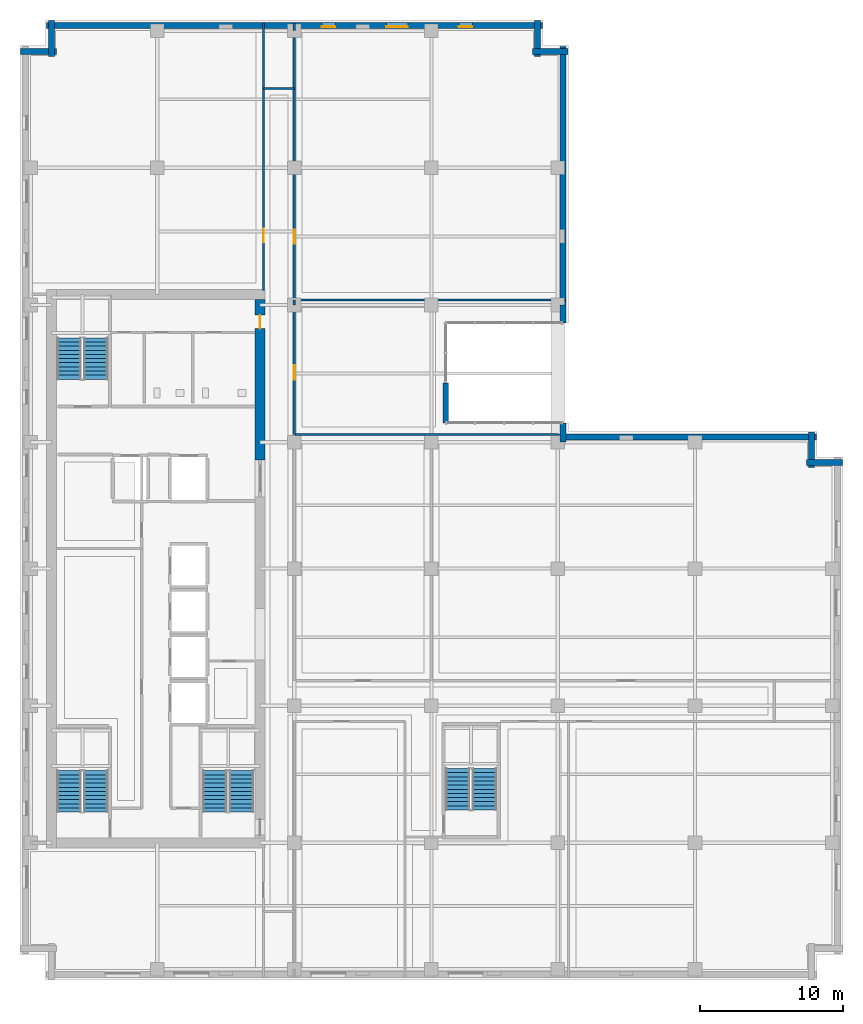
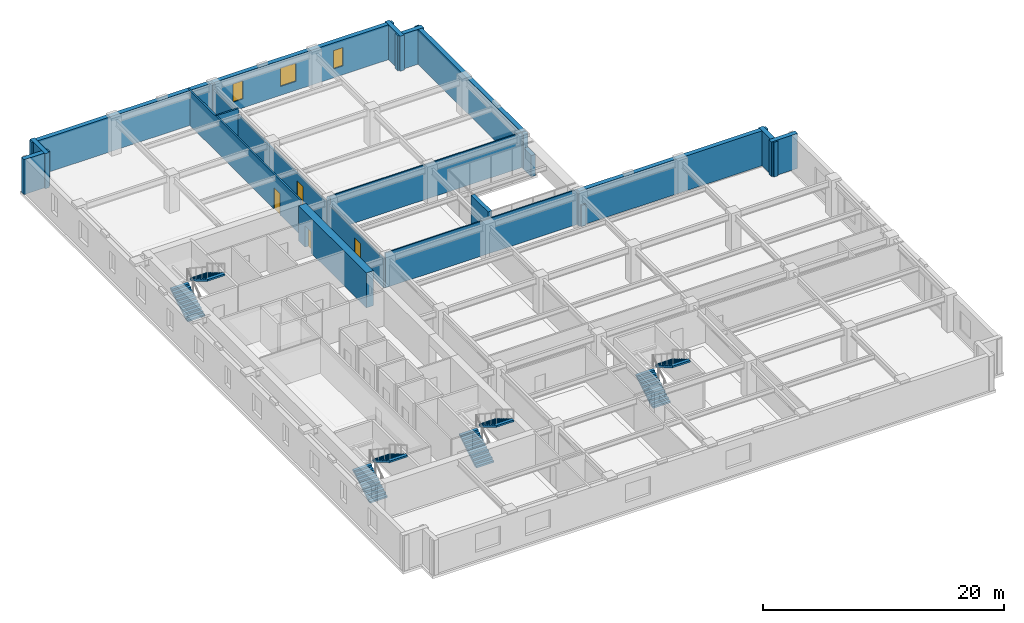
# One storey, part 7 of 13: 21 walls, 8 stair flights, 4 doors, 3 windows, 7 openings, 4 elements without a shape of their own.
"""IFC4 building model written with IfcOpenShell, lengths in metres."""

from ifc_helpers import new_model, si_unit, direction, frame, frame_2d, origin, place, context, subcontext, project, spatial, polyline, rectangle, outline, extrude, material, layer, layer_set, type_object, element, fill, aggregate, save


model = new_model("IFC4")

# Units and contexts
model_context = context("Model", 3, precision=1e-05, world=origin(), true_north=direction((0.0, 1.0)))
body_context = subcontext(model_context, "Body", "Model", "MODEL_VIEW")
ifc_project = project(units=[si_unit("LENGTHUNIT", "METRE"), si_unit("AREAUNIT", "SQUARE_METRE"), si_unit("VOLUMEUNIT", "CUBIC_METRE"), si_unit("PLANEANGLEUNIT", "RADIAN"), si_unit("MASSUNIT", "GRAM", prefix="KILO")], contexts=[model_context])

# Site, building, storey
site_placement = place(None, origin())
site = spatial("IfcSite", under=ifc_project, at=site_placement, CompositionType="ELEMENT")
building_placement = place(site_placement, origin())
building = spatial("IfcBuilding", under=site, at=building_placement, Name="Norrvale University Quadrangle", CompositionType="ELEMENT")
storey_placement = place(building_placement, frame((0.0, 0.0, 171.199951171875)))
storey = spatial("IfcBuildingStorey", under=building, at=storey_placement, Name="L43", CompositionType="ELEMENT", Elevation=171.199951171875)

# Walls
ifc_material_1 = material(Name="Buff Norman Clay Brick Masonry", Category="masonry")
ifc_layer_1 = layer(ifc_material_1, 0.419921875, Name="Buff Norman Clay Brick Masonry")
ifc_layer_set_1 = layer_set([ifc_layer_1], Name="Buff Norman Clay Brick Masonry")
wall_type_1 = type_object("IfcWallType", Name="Wall Buff Brick 420", PredefinedType="SOLIDWALL", material=ifc_layer_set_1)
for number, where, z_axis, x_axis, name in (
    (1, (57.56005859375, 36.2099609375, 0.0), (0.0, 0.0, 1.0), (-1.0, 0.0, 0.0), "Exterior Brick Facade Wall L43-05.1"),
    (2, (55.409912109375, 35.860107421875, 0.0), (0.0, 0.0, 1.0), (0.0, 1.0, 0.0), "Exterior Brick Facade Wall L43-06.1"),
):
    element("IfcWall", number, at=place(storey_placement, frame(where, z_axis=z_axis, x_axis=x_axis)), inside=storey, type_object=wall_type_1, Name=name, PredefinedType="SOLIDWALL", context=body_context, shape_type="SweptSolid", body=[
        extrude(rectangle(XDim=2.5, YDim=0.419921875, at=frame_2d((1.25, 0.0))), origin(), (0.0, 0.0, 1.0), 3.5400390625),
    ])
wall_1_placement = place(storey_placement, frame((55.760009765625, 38.010009765625, 0.0), z_axis=(0.0, 0.0, 1.0), x_axis=(-1.0, 0.0, 0.0)))
element("IfcWall", 3, at=wall_1_placement, inside=storey, type_object=wall_type_1, Name="Exterior Brick Facade Wall L43-07.1", PredefinedType="SOLIDWALL", context=body_context, shape_type="SweptSolid", body=[
    extrude(rectangle(XDim=18.10009765625, YDim=0.419921875, at=frame_2d((9.050048828125, 0.0))), origin(), (0.0, 0.0, 1.0), 3.5400390625),
])
wall_2_placement = place(storey_placement, frame((38.010009765625, 37.659912109375, 0.0), z_axis=(0.0, 0.0, 1.0), x_axis=(0.0, 1.0, 0.0)))
element("IfcWall", 4, at=wall_2_placement, inside=storey, type_object=wall_type_1, Name="Exterior Brick Facade Wall L43-08.1", PredefinedType="SOLIDWALL", context=body_context, shape_type="SweptSolid", body=[
    extrude(rectangle(XDim=1.340087890625, YDim=0.419921875, at=frame_2d((0.669921875, 0.0))), origin(), (0.0, 0.0, 1.0), 2.14013671875),
])
wall_3_placement = place(storey_placement, frame((38.010009765625, 46.0, 0.0), z_axis=(0.0, 0.0, 1.0), x_axis=(0.0, 1.0, 0.0)))
element("IfcWall", 5, at=wall_3_placement, inside=storey, type_object=wall_type_1, Name="Exterior Brick Facade Wall L43-08.2", PredefinedType="SOLIDWALL", context=body_context, shape_type="SweptSolid", body=[
    extrude(rectangle(XDim=1.25, YDim=0.419921875, at=frame_2d((0.625, 0.0))), origin(), (0.0, 0.0, 1.0), 2.14013671875),
])
for number, where, z_axis, x_axis, name in (
    (6, (38.360107421875, 65.010009765625, 0.0), (0.0, 0.0, 1.0), (-1.0, 0.0, 0.0), "Exterior Brick Facade Wall L43-09.1"),
    (7, (36.2099609375, 64.659912109375, 0.0), (0.0, 0.0, 1.0), (0.0, 1.0, 0.0), "Exterior Brick Facade Wall L43-10.1"),
):
    element("IfcWall", number, at=place(storey_placement, frame(where, z_axis=z_axis, x_axis=x_axis)), inside=storey, type_object=wall_type_1, Name=name, PredefinedType="SOLIDWALL", context=body_context, shape_type="SweptSolid", body=[
        extrude(rectangle(XDim=2.5, YDim=0.419921875, at=frame_2d((1.25, 0.0))), origin(), (0.0, 0.0, 1.0), 3.5400390625),
    ])

# Wall, openings, windows
wall_4_placement = place(storey_placement, frame((36.56005859375, 66.81005859375, 0.0), z_axis=(0.0, 0.0, 1.0), x_axis=(-1.0, 0.0, 0.0)))
wall_4 = element("IfcWall", 8, at=wall_4_placement, inside=storey, type_object=wall_type_1, Name="Exterior Brick Facade Wall L43-11.1", PredefinedType="SOLIDWALL", context=body_context, shape_type="SweptSolid", body=[
    extrude(rectangle(XDim=34.719970703125, YDim=0.419921875, at=frame_2d((17.35986328125, 0.0))), origin(), (0.0, 0.0, 1.0), 3.5400390625),
])
opening_1_placement = place(wall_4_placement, frame((4.885009765625, 0.0, 0.89990234375)))
opening_1 = element("IfcOpeningElement", 9, at=opening_1_placement, cuts=wall_4, Name="Opening W04", PredefinedType="OPENING", context=body_context, shape_type="SweptSolid", body=[
    extrude(rectangle(XDim=0.949951171875, YDim=1.85009765625, at=frame_2d((0.47509765625, 0.925048828125))), frame((0.0, 0.221923828125, 0.0), z_axis=(0.0, -1.0, 0.0), x_axis=(1.0, 0.0, 0.0)), (0.0, 0.0, 1.0), 0.44384765625),
])
opening_2_placement = place(wall_4_placement, frame((9.409912109375, 0.0, 0.89990234375)))
opening_2 = element("IfcOpeningElement", 10, at=opening_2_placement, cuts=wall_4, Name="Opening W03", PredefinedType="OPENING", context=body_context, shape_type="SweptSolid", body=[
    extrude(rectangle(XDim=1.5, YDim=1.85009765625, at=frame_2d((0.75, 0.925048828125))), frame((0.0, 0.221923828125, 0.0), z_axis=(0.0, -1.0, 0.0), x_axis=(1.0, 0.0, 0.0)), (0.0, 0.0, 1.0), 0.44384765625),
])
opening_3_placement = place(wall_4_placement, frame((14.485107421875, 0.0, 0.89990234375)))
opening_3 = element("IfcOpeningElement", 11, at=opening_3_placement, cuts=wall_4, Name="Opening W04", PredefinedType="OPENING", context=body_context, shape_type="SweptSolid", body=[
    extrude(rectangle(XDim=0.949951171875, YDim=1.85009765625, at=frame_2d((0.47509765625, 0.925048828125))), frame((0.0, 0.221923828125, 0.0), z_axis=(0.0, -1.0, 0.0), x_axis=(1.0, 0.0, 0.0)), (0.0, 0.0, 1.0), 0.44384765625),
])
ifc_material_2 = material(Name="Triple Low-E Argon Glazing", Category="glass")
window_type_1 = type_object("IfcWindowType", Name="Window Narrow Pier 950x2300", PartitioningType="SINGLE_PANEL", PredefinedType="WINDOW", material=ifc_material_2)
window_1_placement = place(opening_1_placement, origin())
window_1 = element("IfcWindow", 12, at=window_1_placement, inside=storey, type_object=window_type_1, Name="Window Narrow Pier 950x2300 WIN-L43-E11-1-01", OverallHeight=1.85009765625, OverallWidth=0.949951171875, PartitioningType="SINGLE_PANEL", PredefinedType="WINDOW", context=body_context, shape_type="SweptSolid", body=[
    extrude(rectangle(XDim=0.949951171875, YDim=1.85009765625, at=frame_2d((0.47509765625, 0.925048828125))), frame((0.0, 0.110107421875, 0.0), z_axis=(0.0, -1.0, 0.0), x_axis=(1.0, 0.0, 0.0)), (0.0, 0.0, 1.0), 0.06005859375),
])
fill(opening_1, window_1)
window_2_placement = place(opening_3_placement, origin())
window_2 = element("IfcWindow", 13, at=window_2_placement, inside=storey, type_object=window_type_1, Name="Window Narrow Pier 950x2300 WIN-L43-E11-1-03", OverallHeight=1.85009765625, OverallWidth=0.949951171875, PartitioningType="SINGLE_PANEL", PredefinedType="WINDOW", context=body_context, shape_type="SweptSolid", body=[
    extrude(rectangle(XDim=0.949951171875, YDim=1.85009765625, at=frame_2d((0.47509765625, 0.925048828125))), frame((0.0, 0.110107421875, 0.0), z_axis=(0.0, -1.0, 0.0), x_axis=(1.0, 0.0, 0.0)), (0.0, 0.0, 1.0), 0.06005859375),
])
fill(opening_3, window_2)
window_type_2 = type_object("IfcWindowType", Name="Window Studio 1500x2300", PartitioningType="DOUBLE_PANEL_VERTICAL", PredefinedType="WINDOW", material=ifc_material_2)
window_3_placement = place(opening_2_placement, origin())
window_3 = element("IfcWindow", 14, at=window_3_placement, inside=storey, type_object=window_type_2, Name="Window Studio 1500x2300 WIN-L43-E11-1-02", OverallHeight=1.85009765625, OverallWidth=1.5, PartitioningType="DOUBLE_PANEL_VERTICAL", PredefinedType="WINDOW", context=body_context, shape_type="SweptSolid", body=[
    extrude(rectangle(XDim=1.5, YDim=1.85009765625, at=frame_2d((0.75, 0.925048828125))), frame((0.0, 0.110107421875, 0.0), z_axis=(0.0, -1.0, 0.0), x_axis=(1.0, 0.0, 0.0)), (0.0, 0.0, 1.0), 0.06005859375),
])
fill(opening_2, window_3)

# Walls
for number, where, z_axis, x_axis, name in (
    (15, (2.18994140625, 67.159912109375, 0.0), (0.0, 0.0, 1.0), (0.0, -1.0, 0.0), "Exterior Brick Facade Wall L43-12.1"),
    (16, (2.5400390625, 65.010009765625, 0.0), (0.0, 0.0, 1.0), (-1.0, 0.0, 0.0), "Exterior Brick Facade Wall L43-13.1"),
):
    element("IfcWall", number, at=place(storey_placement, frame(where, z_axis=z_axis, x_axis=x_axis)), inside=storey, type_object=wall_type_1, Name=name, PredefinedType="SOLIDWALL", context=body_context, shape_type="SweptSolid", body=[
        extrude(rectangle(XDim=2.5, YDim=0.419921875, at=frame_2d((1.25, 0.0))), origin(), (0.0, 0.0, 1.0), 3.5400390625),
    ])
wall_5_placement = place(storey_placement, frame((29.800048828125, 39.0, 0.0), z_axis=(0.0, 0.0, 1.0), x_axis=(0.0, 1.0, 0.0)))
element("IfcWall", 17, at=wall_5_placement, inside=storey, type_object=wall_type_1, Name="Sky Garden Loggia Access Wall L43", PredefinedType="SOLIDWALL", context=body_context, shape_type="SweptSolid", body=[
    extrude(rectangle(XDim=2.800048828125, YDim=0.360107421875, at=frame_2d((1.39990234375, 0.0))), origin(), (0.0, 0.0, 1.0), 3.5400390625),
])
wall_6_placement = place(storey_placement, frame((38.010009765625, 47.25, 0.0), z_axis=(0.0, 0.0, 1.0), x_axis=(0.0, 1.0, 0.0)))
element("IfcWall", 18, at=wall_6_placement, inside=storey, type_object=wall_type_1, Name="Exterior Brick Facade Wall L43-08.2 B2", PredefinedType="SOLIDWALL", context=body_context, shape_type="SweptSolid", body=[
    extrude(rectangle(XDim=18.110107421875, YDim=0.419921875, at=frame_2d((9.05517578125, 0.0))), origin(), (0.0, 0.0, 1.0), 3.5400390625),
])

# Wall, opening, door
ifc_material_3 = material(Name="Concrete C60/75", Category="concrete")
ifc_layer_2 = layer(ifc_material_3, 0.699951171875, Name="Concrete C60/75")
ifc_layer_set_2 = layer_set([ifc_layer_2], Name="Concrete C60/75")
wall_type_2 = type_object("IfcWallType", Name="Wall Core 700", PredefinedType="SHEAR", material=ifc_layer_set_2)
wall_7_placement = place(storey_placement, frame((16.800048828125, 36.39990234375, 0.0), z_axis=(0.0, 0.0, 1.0), x_axis=(0.0, 1.0, 0.0)))
wall_7 = element("IfcWall", 19, at=wall_7_placement, inside=storey, type_object=wall_type_2, Name="Tower Core Shear Wall L43-E3", PredefinedType="SHEAR", context=body_context, shape_type="SweptSolid", body=[
    extrude(rectangle(XDim=11.25, YDim=0.699951171875, at=frame_2d((5.625, 0.0))), origin(), (0.0, 0.0, 1.0), 3.5400390625),
])
opening_4_placement = place(wall_7_placement, frame((9.199951171875, 0.0, 0.0)))
opening_4 = element("IfcOpeningElement", 20, at=opening_4_placement, cuts=wall_7, Name="Opening D07", PredefinedType="OPENING", context=body_context, shape_type="SweptSolid", body=[
    extrude(rectangle(XDim=0.949951171875, YDim=2.14990234375, at=frame_2d((0.47509765625, 1.074951171875))), frame((0.0, 0.362060546875, 0.0), z_axis=(0.0, -1.0, 0.0), x_axis=(1.0, 0.0, 0.0)), (0.0, 0.0, 1.0), 0.723876953125),
])
ifc_material_4 = material(Name="Solid-Core Maple Door", Category="wood")
door_type_1 = type_object("IfcDoorType", Name="Door Office 950x2150", OperationType="NOTDEFINED", PredefinedType="DOOR", material=ifc_material_4)
door_1_placement = place(opening_4_placement, origin())
door_1 = element("IfcDoor", 21, at=door_1_placement, inside=storey, type_object=door_type_1, Name="Door Office 950x2150 DR-L43-NECORR", OperationType="SINGLE_SWING_RIGHT", OverallHeight=2.14990234375, OverallWidth=0.949951171875, PredefinedType="DOOR", context=body_context, shape_type="SweptSolid", body=[
    extrude(rectangle(XDim=0.949951171875, YDim=2.14990234375, at=frame_2d((0.47509765625, 1.074951171875))), frame((0.0, 0.02490234375, 0.0), z_axis=(0.0, -1.0, 0.0), x_axis=(1.0, 0.0, 0.0)), (0.0, 0.0, 1.0), 0.050048828125),
])
fill(opening_4, door_1)

# Walls
ifc_material_5 = material(Name="Standard Academic Gypsum Partition")
ifc_layer_3 = layer(ifc_material_5, 0.125, Name="Standard Academic Gypsum Partition")
ifc_layer_set_3 = layer_set([ifc_layer_3], Name="Standard Academic Gypsum Partition")
wall_type_3 = type_object("IfcWallType", Name="Wall Gypsum Academic 125", PredefinedType="PARTITIONING", material=ifc_layer_set_3)
wall_8_placement = place(storey_placement, frame((19.280029296875, 38.179931640625, 0.0), z_axis=(0.0, 0.0, 1.0), x_axis=(1.0, 0.0, 0.0)))
element("IfcWall", 22, at=wall_8_placement, inside=storey, type_object=wall_type_3, Name="Interior Partition WL-L43-ME-N", PredefinedType="PARTITIONING", context=body_context, shape_type="SweptSolid", body=[
    extrude(rectangle(XDim=18.369873046875, YDim=0.125, at=frame_2d((9.18505859375, 0.0))), origin(), (0.0, 0.0, 1.0), 3.5400390625),
])
wall_9_placement = place(storey_placement, frame((19.199951171875, 47.60009765625, 0.0), z_axis=(0.0, 0.0, 1.0), x_axis=(1.0, 0.0, 0.0)))
element("IfcWall", 23, at=wall_9_placement, inside=storey, type_object=wall_type_3, Name="Interior Partition WL-L43-SG-NSEP", PredefinedType="PARTITIONING", context=body_context, shape_type="SweptSolid", body=[
    extrude(rectangle(XDim=18.97998046875, YDim=0.125, at=frame_2d((9.489990234375, 0.0))), origin(), (0.0, 0.0, 1.0), 3.5400390625),
])
ifc_material_6 = material(Name="Fire-Rated Gypsum Stud Partition")
ifc_layer_4 = layer(ifc_material_6, 0.14990234375, Name="Fire-Rated Gypsum Stud Partition")
ifc_layer_set_4 = layer_set([ifc_layer_4], Name="Fire-Rated Gypsum Stud Partition")
wall_type_4 = type_object("IfcWallType", Name="Wall Gypsum Corridor 150", PredefinedType="PARTITIONING", material=ifc_layer_set_4)
wall_10_placement = place(storey_placement, frame((17.050048828125, 62.39990234375, 0.0), z_axis=(0.0, 0.0, 1.0), x_axis=(1.0, 0.0, 0.0)))
element("IfcWall", 24, at=wall_10_placement, inside=storey, type_object=wall_type_4, Name="Interior Partition WL-L43-CSP-N", PredefinedType="PARTITIONING", context=body_context, shape_type="SweptSolid", body=[
    extrude(rectangle(XDim=2.14990234375, YDim=0.14990234375, at=frame_2d((1.074951171875, 0.0))), origin(), (0.0, 0.0, 1.0), 3.5400390625),
])

# Wall, opening, door
wall_11_placement = place(storey_placement, frame((19.199951171875, 38.179931640625, 0.0), z_axis=(0.0, 0.0, 1.0), x_axis=(0.0, 1.0, 0.0)))
wall_11 = element("IfcWall", 25, at=wall_11_placement, inside=storey, type_object=wall_type_4, Name="Interior Partition WL-L43-MNECW", PredefinedType="PARTITIONING", context=body_context, shape_type="SweptSolid", body=[
    extrude(rectangle(XDim=9.070068359375, YDim=0.14990234375, at=frame_2d((4.53515625, 0.0))), origin(), (0.0, 0.0, 1.0), 2.923095703125),
])
opening_5_placement = place(wall_11_placement, frame((3.85009765625, 0.0, 0.0)))
opening_5 = element("IfcOpeningElement", 26, at=opening_5_placement, cuts=wall_11, Name="Opening D04", PredefinedType="OPENING", context=body_context, shape_type="SweptSolid", body=[
    extrude(rectangle(XDim=1.0, YDim=2.199951171875, at=frame_2d((0.5, 1.10009765625))), frame((0.0, 0.0869140625, 0.0), z_axis=(0.0, -1.0, 0.0), x_axis=(1.0, 0.0, 0.0)), (0.0, 0.0, 1.0), 0.173828125),
])
ifc_material_7 = material(Name="Solid-Core Oak Fire Door", Category="wood")
door_type_2 = type_object("IfcDoorType", Name="Door Corridor 1000x2200", OperationType="NOTDEFINED", PredefinedType="DOOR", material=ifc_material_7)
door_2_placement = place(opening_5_placement, origin())
door_2 = element("IfcDoor", 27, at=door_2_placement, inside=storey, type_object=door_type_2, Name="Door Corridor 1000x2200 DR-L43-MNE01", OperationType="SINGLE_SWING_RIGHT", OverallHeight=2.199951171875, OverallWidth=1.0, PredefinedType="DOOR", context=body_context, shape_type="SweptSolid", body=[
    extrude(rectangle(XDim=1.0, YDim=2.199951171875, at=frame_2d((0.5, 1.10009765625))), frame((0.0, 0.02490234375, 0.0), z_axis=(0.0, -1.0, 0.0), x_axis=(1.0, 0.0, 0.0)), (0.0, 0.0, 1.0), 0.050048828125),
])
fill(opening_5, door_2)

# Wall
wall_12_placement = place(storey_placement, frame((19.199951171875, 47.25, 0.0), z_axis=(0.0, 0.0, 1.0), x_axis=(0.0, 1.0, 0.0)))
element("IfcWall", 28, at=wall_12_placement, inside=storey, type_object=wall_type_4, Name="Interior Partition WL-L43-MNECW-B2", PredefinedType="PARTITIONING", context=body_context, shape_type="SweptSolid", body=[
    extrude(rectangle(XDim=0.35009765625, YDim=0.14990234375, at=frame_2d((0.175048828125, 0.0))), origin(), (0.0, 0.0, 1.0), 3.5400390625),
])

# Wall, opening, door
wall_13_placement = place(storey_placement, frame((19.199951171875, 47.60009765625, 0.0), z_axis=(0.0, 0.0, 1.0), x_axis=(0.0, 1.0, 0.0)))
wall_13 = element("IfcWall", 29, at=wall_13_placement, inside=storey, type_object=wall_type_4, Name="Interior Partition WL-L43-NECW", PredefinedType="PARTITIONING", context=body_context, shape_type="SweptSolid", body=[
    extrude(rectangle(XDim=18.849853515625, YDim=0.14990234375, at=frame_2d((9.4248046875, 0.0))), origin(), (0.0, 0.0, 1.0), 2.923095703125),
])
opening_6_placement = place(wall_13_placement, frame((3.949951171875, 0.0, 0.0)))
opening_6 = element("IfcOpeningElement", 30, at=opening_6_placement, cuts=wall_13, Name="Opening D07", PredefinedType="OPENING", context=body_context, shape_type="SweptSolid", body=[
    extrude(rectangle(XDim=0.949951171875, YDim=2.14990234375, at=frame_2d((0.47509765625, 1.074951171875))), frame((0.0, 0.0869140625, 0.0), z_axis=(0.0, -1.0, 0.0), x_axis=(1.0, 0.0, 0.0)), (0.0, 0.0, 1.0), 0.173828125),
])
door_3_placement = place(opening_6_placement, origin())
door_3 = element("IfcDoor", 31, at=door_3_placement, inside=storey, type_object=door_type_1, Name="Door Office 950x2150 DR-L43-NE01", OperationType="SINGLE_SWING_RIGHT", OverallHeight=2.14990234375, OverallWidth=0.949951171875, PredefinedType="DOOR", context=body_context, shape_type="SweptSolid", body=[
    extrude(rectangle(XDim=0.949951171875, YDim=2.14990234375, at=frame_2d((0.47509765625, 1.074951171875))), frame((0.0, 0.02490234375, 0.0), z_axis=(0.0, -1.0, 0.0), x_axis=(1.0, 0.0, 0.0)), (0.0, 0.0, 1.0), 0.050048828125),
])
fill(opening_6, door_3)

# Wall
wall_14_placement = place(storey_placement, frame((19.199951171875, 66.449951171875, 0.0), z_axis=(0.0, 0.0, 1.0), x_axis=(0.0, 1.0, 0.0)))
element("IfcWall", 32, at=wall_14_placement, inside=storey, type_object=wall_type_4, Name="Interior Partition WL-L43-NECW-B2", PredefinedType="PARTITIONING", context=body_context, shape_type="SweptSolid", body=[
    extrude(rectangle(XDim=0.530029296875, YDim=0.14990234375, at=frame_2d((0.26513671875, 0.0))), origin(), (0.0, 0.0, 1.0), 3.5400390625),
])

# Wall, opening, door
wall_15_placement = place(storey_placement, frame((17.050048828125, 48.25, 0.0), z_axis=(0.0, 0.0, 1.0), x_axis=(0.0, 1.0, 0.0)))
wall_15 = element("IfcWall", 33, at=wall_15_placement, inside=storey, type_object=wall_type_4, Name="Interior Partition WL-L43-NWCW", PredefinedType="PARTITIONING", context=body_context, shape_type="SweptSolid", body=[
    extrude(rectangle(XDim=18.72998046875, YDim=0.14990234375, at=frame_2d((9.364990234375, 0.0))), origin(), (0.0, 0.0, 1.0), 3.5400390625),
])
opening_7_placement = place(wall_15_placement, frame((3.39990234375, 0.0, 0.0)))
opening_7 = element("IfcOpeningElement", 34, at=opening_7_placement, cuts=wall_15, Name="Opening D07", PredefinedType="OPENING", context=body_context, shape_type="SweptSolid", body=[
    extrude(rectangle(XDim=0.949951171875, YDim=2.14990234375, at=frame_2d((0.47509765625, 1.074951171875))), frame((0.0, 0.0869140625, 0.0), z_axis=(0.0, -1.0, 0.0), x_axis=(1.0, 0.0, 0.0)), (0.0, 0.0, 1.0), 0.173828125),
])
door_4_placement = place(opening_7_placement, origin())
door_4 = element("IfcDoor", 35, at=door_4_placement, inside=storey, type_object=door_type_1, Name="Door Office 950x2150 DR-L43-NW01", OperationType="SINGLE_SWING_RIGHT", OverallHeight=2.14990234375, OverallWidth=0.949951171875, PredefinedType="DOOR", context=body_context, shape_type="SweptSolid", body=[
    extrude(rectangle(XDim=0.949951171875, YDim=2.14990234375, at=frame_2d((0.47509765625, 1.074951171875))), frame((0.0, 0.02490234375, 0.0), z_axis=(0.0, -1.0, 0.0), x_axis=(1.0, 0.0, 0.0)), (0.0, 0.0, 1.0), 0.050048828125),
])
fill(opening_7, door_4)

# Stair, stair flights
ifc_material_8 = material(Name="Concrete C40/50", Category="concrete")
stair_type = type_object("IfcStairType", Name="Stair Tower Typ 3800", PredefinedType="TWO_STRAIGHT_RUN_STAIR", material=ifc_material_8)
stair_1_placement = place(storey_placement, origin())
stair_1 = element("IfcStair", 36, at=stair_1_placement, inside=storey, type_object=stair_type, Name="Exit Stair ST-01 L43", PredefinedType="TWO_STRAIGHT_RUN_STAIR")
stair_flight_type = type_object("IfcStairFlightType", Name="Flight Typ 1500", PredefinedType="STRAIGHT", material=ifc_material_8)
stair_flight_1_placement = place(storey_placement, frame((3.429931640625, 11.75, 0.0), z_axis=(0.0, 0.0, 1.0), x_axis=(0.0, 1.0, 0.0)))
stair_flight_1 = element("IfcStairFlight", 37, at=stair_flight_1_placement, type_object=stair_flight_type, Name="Exit Stair ST-01 L43 Lower Flight", NumberOfRisers=11, NumberOfTreads=10, PredefinedType="STRAIGHT", RiserHeight=0.172727, TreadLength=0.29, context=body_context, shape_type="SweptSolid", body=[
    extrude(outline(polyline([(0.0, 0.0), (0.0, 0.172607421875), (0.2900390625, 0.172607421875), (0.2900390625, 0.345458984375), (0.580078125, 0.345458984375), (0.580078125, 0.51806640625), (0.8701171875, 0.51806640625), (0.8701171875, 0.69091796875), (1.159912109375, 0.69091796875), (1.159912109375, 0.863525390625), (1.449951171875, 0.863525390625), (1.449951171875, 1.036376953125), (1.739990234375, 1.036376953125), (1.739990234375, 1.208984375), (2.030029296875, 1.208984375), (2.030029296875, 1.3818359375), (2.320068359375, 1.3818359375), (2.320068359375, 1.554443359375), (2.610107421875, 1.554443359375), (2.610107421875, 1.727294921875), (2.89990234375, 1.727294921875), (2.89990234375, 1.89990234375), (2.89990234375, 1.552734375), (0.29296875, 0.0), (0.0, 0.0)])), frame((0.0, 0.83984375, 0.0), z_axis=(0.0, -1.0, 0.0), x_axis=(1.0, 0.0, 0.0)), (0.0, 0.0, 1.0), 1.679931640625),
])
stair_flight_2_placement = place(storey_placement, frame((5.320068359375, 14.64990234375, 1.900146484375), z_axis=(0.0, 0.0, 1.0), x_axis=(0.0, -1.0, 0.0)))
stair_flight_2 = element("IfcStairFlight", 38, at=stair_flight_2_placement, type_object=stair_flight_type, Name="Exit Stair ST-01 L43 Upper Flight", NumberOfRisers=11, NumberOfTreads=10, PredefinedType="STRAIGHT", RiserHeight=0.172727, TreadLength=0.29, context=body_context, shape_type="SweptSolid", body=[
    extrude(outline(polyline([(0.0, 0.0), (0.0, 0.172607421875), (0.2900390625, 0.172607421875), (0.2900390625, 0.345458984375), (0.580078125, 0.345458984375), (0.580078125, 0.51806640625), (0.8701171875, 0.51806640625), (0.8701171875, 0.69091796875), (1.159912109375, 0.69091796875), (1.159912109375, 0.863525390625), (1.449951171875, 0.863525390625), (1.449951171875, 1.036376953125), (1.739990234375, 1.036376953125), (1.739990234375, 1.208984375), (2.030029296875, 1.208984375), (2.030029296875, 1.3818359375), (2.320068359375, 1.3818359375), (2.320068359375, 1.554443359375), (2.610107421875, 1.554443359375), (2.610107421875, 1.727294921875), (2.89990234375, 1.727294921875), (2.89990234375, 1.89990234375), (2.89990234375, 1.552734375), (0.29296875, 0.0), (0.0, 0.0)])), frame((0.0, 0.83984375, 0.0), z_axis=(0.0, -1.0, 0.0), x_axis=(1.0, 0.0, 0.0)), (0.0, 0.0, 1.0), 1.679931640625),
])
aggregate(stair_1, [stair_flight_1, stair_flight_2])

stair_2_placement = place(storey_placement, origin())
stair_2 = element("IfcStair", 39, at=stair_2_placement, inside=storey, type_object=stair_type, Name="Exit Stair ST-02 L43", PredefinedType="TWO_STRAIGHT_RUN_STAIR")
stair_flight_3_placement = place(storey_placement, frame((3.429931640625, 42.050048828125, 0.0), z_axis=(0.0, 0.0, 1.0), x_axis=(0.0, 1.0, 0.0)))
stair_flight_3 = element("IfcStairFlight", 40, at=stair_flight_3_placement, type_object=stair_flight_type, Name="Exit Stair ST-02 L43 Lower Flight", NumberOfRisers=11, NumberOfTreads=10, PredefinedType="STRAIGHT", RiserHeight=0.172727, TreadLength=0.29, context=body_context, shape_type="SweptSolid", body=[
    extrude(outline(polyline([(0.0, 0.0), (0.0, 0.172607421875), (0.2900390625, 0.172607421875), (0.2900390625, 0.345458984375), (0.580078125, 0.345458984375), (0.580078125, 0.51806640625), (0.8701171875, 0.51806640625), (0.8701171875, 0.69091796875), (1.159912109375, 0.69091796875), (1.159912109375, 0.863525390625), (1.449951171875, 0.863525390625), (1.449951171875, 1.036376953125), (1.739990234375, 1.036376953125), (1.739990234375, 1.208984375), (2.030029296875, 1.208984375), (2.030029296875, 1.3818359375), (2.320068359375, 1.3818359375), (2.320068359375, 1.554443359375), (2.610107421875, 1.554443359375), (2.610107421875, 1.727294921875), (2.89990234375, 1.727294921875), (2.89990234375, 1.89990234375), (2.89990234375, 1.552734375), (0.29296875, 0.0), (0.0, 0.0)])), frame((0.0, 0.83984375, 0.0), z_axis=(0.0, -1.0, 0.0), x_axis=(1.0, 0.0, 0.0)), (0.0, 0.0, 1.0), 1.679931640625),
])
stair_flight_4_placement = place(storey_placement, frame((5.320068359375, 44.949951171875, 1.900146484375), z_axis=(0.0, 0.0, 1.0), x_axis=(0.0, -1.0, 0.0)))
stair_flight_4 = element("IfcStairFlight", 41, at=stair_flight_4_placement, type_object=stair_flight_type, Name="Exit Stair ST-02 L43 Upper Flight", NumberOfRisers=11, NumberOfTreads=10, PredefinedType="STRAIGHT", RiserHeight=0.172727, TreadLength=0.29, context=body_context, shape_type="SweptSolid", body=[
    extrude(outline(polyline([(0.0, 0.0), (0.0, 0.172607421875), (0.2900390625, 0.172607421875), (0.2900390625, 0.345458984375), (0.580078125, 0.345458984375), (0.580078125, 0.51806640625), (0.8701171875, 0.51806640625), (0.8701171875, 0.69091796875), (1.159912109375, 0.69091796875), (1.159912109375, 0.863525390625), (1.449951171875, 0.863525390625), (1.449951171875, 1.036376953125), (1.739990234375, 1.036376953125), (1.739990234375, 1.208984375), (2.030029296875, 1.208984375), (2.030029296875, 1.3818359375), (2.320068359375, 1.3818359375), (2.320068359375, 1.554443359375), (2.610107421875, 1.554443359375), (2.610107421875, 1.727294921875), (2.89990234375, 1.727294921875), (2.89990234375, 1.89990234375), (2.89990234375, 1.552734375), (0.29296875, 0.0), (0.0, 0.0)])), frame((0.0, 0.83984375, 0.0), z_axis=(0.0, -1.0, 0.0), x_axis=(1.0, 0.0, 0.0)), (0.0, 0.0, 1.0), 1.679931640625),
])
aggregate(stair_2, [stair_flight_3, stair_flight_4])

stair_3_placement = place(storey_placement, origin())
stair_3 = element("IfcStair", 42, at=stair_3_placement, inside=storey, type_object=stair_type, Name="Exit Stair ST-03 L43", PredefinedType="TWO_STRAIGHT_RUN_STAIR")
stair_flight_5_placement = place(storey_placement, frame((13.6298828125, 11.75, 0.0), z_axis=(0.0, 0.0, 1.0), x_axis=(0.0, 1.0, 0.0)))
stair_flight_5 = element("IfcStairFlight", 43, at=stair_flight_5_placement, type_object=stair_flight_type, Name="Exit Stair ST-03 L43 Lower Flight", NumberOfRisers=11, NumberOfTreads=10, PredefinedType="STRAIGHT", RiserHeight=0.172727, TreadLength=0.29, context=body_context, shape_type="SweptSolid", body=[
    extrude(outline(polyline([(0.0, 0.0), (0.0, 0.172607421875), (0.2900390625, 0.172607421875), (0.2900390625, 0.345458984375), (0.580078125, 0.345458984375), (0.580078125, 0.51806640625), (0.8701171875, 0.51806640625), (0.8701171875, 0.69091796875), (1.159912109375, 0.69091796875), (1.159912109375, 0.863525390625), (1.449951171875, 0.863525390625), (1.449951171875, 1.036376953125), (1.739990234375, 1.036376953125), (1.739990234375, 1.208984375), (2.030029296875, 1.208984375), (2.030029296875, 1.3818359375), (2.320068359375, 1.3818359375), (2.320068359375, 1.554443359375), (2.610107421875, 1.554443359375), (2.610107421875, 1.727294921875), (2.89990234375, 1.727294921875), (2.89990234375, 1.89990234375), (2.89990234375, 1.552734375), (0.29296875, 0.0), (0.0, 0.0)])), frame((0.0, 0.83984375, 0.0), z_axis=(0.0, -1.0, 0.0), x_axis=(1.0, 0.0, 0.0)), (0.0, 0.0, 1.0), 1.679931640625),
])
stair_flight_6_placement = place(storey_placement, frame((15.52001953125, 14.64990234375, 1.900146484375), z_axis=(0.0, 0.0, 1.0), x_axis=(0.0, -1.0, 0.0)))
stair_flight_6 = element("IfcStairFlight", 44, at=stair_flight_6_placement, type_object=stair_flight_type, Name="Exit Stair ST-03 L43 Upper Flight", NumberOfRisers=11, NumberOfTreads=10, PredefinedType="STRAIGHT", RiserHeight=0.172727, TreadLength=0.29, context=body_context, shape_type="SweptSolid", body=[
    extrude(outline(polyline([(0.0, 0.0), (0.0, 0.172607421875), (0.2900390625, 0.172607421875), (0.2900390625, 0.345458984375), (0.580078125, 0.345458984375), (0.580078125, 0.51806640625), (0.8701171875, 0.51806640625), (0.8701171875, 0.69091796875), (1.159912109375, 0.69091796875), (1.159912109375, 0.863525390625), (1.449951171875, 0.863525390625), (1.449951171875, 1.036376953125), (1.739990234375, 1.036376953125), (1.739990234375, 1.208984375), (2.030029296875, 1.208984375), (2.030029296875, 1.3818359375), (2.320068359375, 1.3818359375), (2.320068359375, 1.554443359375), (2.610107421875, 1.554443359375), (2.610107421875, 1.727294921875), (2.89990234375, 1.727294921875), (2.89990234375, 1.89990234375), (2.89990234375, 1.552734375), (0.29296875, 0.0), (0.0, 0.0)])), frame((0.0, 0.83984375, 0.0), z_axis=(0.0, -1.0, 0.0), x_axis=(1.0, 0.0, 0.0)), (0.0, 0.0, 1.0), 1.679931640625),
])
aggregate(stair_3, [stair_flight_5, stair_flight_6])

stair_4_placement = place(storey_placement, origin())
stair_4 = element("IfcStair", 45, at=stair_4_placement, inside=storey, type_object=stair_type, Name="Exit Stair ST-04 L43", PredefinedType="TWO_STRAIGHT_RUN_STAIR")
stair_flight_7_placement = place(storey_placement, frame((30.6298828125, 11.89990234375, 0.0), z_axis=(0.0, 0.0, 1.0), x_axis=(0.0, 1.0, 0.0)))
stair_flight_7 = element("IfcStairFlight", 46, at=stair_flight_7_placement, type_object=stair_flight_type, Name="Exit Stair ST-04 L43 Lower Flight", NumberOfRisers=11, NumberOfTreads=10, PredefinedType="STRAIGHT", RiserHeight=0.172727, TreadLength=0.29, context=body_context, shape_type="SweptSolid", body=[
    extrude(outline(polyline([(0.0, 0.0), (0.0, 0.172607421875), (0.2900390625, 0.172607421875), (0.2900390625, 0.345458984375), (0.580078125, 0.345458984375), (0.580078125, 0.51806640625), (0.8701171875, 0.51806640625), (0.8701171875, 0.69091796875), (1.159912109375, 0.69091796875), (1.159912109375, 0.863525390625), (1.449951171875, 0.863525390625), (1.449951171875, 1.036376953125), (1.739990234375, 1.036376953125), (1.739990234375, 1.208984375), (2.030029296875, 1.208984375), (2.030029296875, 1.3818359375), (2.320068359375, 1.3818359375), (2.320068359375, 1.554443359375), (2.610107421875, 1.554443359375), (2.610107421875, 1.727294921875), (2.89990234375, 1.727294921875), (2.89990234375, 1.89990234375), (2.89990234375, 1.552734375), (0.29296875, 0.0), (0.0, 0.0)])), frame((0.0, 0.83984375, 0.0), z_axis=(0.0, -1.0, 0.0), x_axis=(1.0, 0.0, 0.0)), (0.0, 0.0, 1.0), 1.679931640625),
])
stair_flight_8_placement = place(storey_placement, frame((32.52001953125, 14.800048828125, 1.900146484375), z_axis=(0.0, 0.0, 1.0), x_axis=(0.0, -1.0, 0.0)))
stair_flight_8 = element("IfcStairFlight", 47, at=stair_flight_8_placement, type_object=stair_flight_type, Name="Exit Stair ST-04 L43 Upper Flight", NumberOfRisers=11, NumberOfTreads=10, PredefinedType="STRAIGHT", RiserHeight=0.172727, TreadLength=0.29, context=body_context, shape_type="SweptSolid", body=[
    extrude(outline(polyline([(0.0, 0.0), (0.0, 0.172607421875), (0.2900390625, 0.172607421875), (0.2900390625, 0.345458984375), (0.580078125, 0.345458984375), (0.580078125, 0.51806640625), (0.8701171875, 0.51806640625), (0.8701171875, 0.69091796875), (1.159912109375, 0.69091796875), (1.159912109375, 0.863525390625), (1.449951171875, 0.863525390625), (1.449951171875, 1.036376953125), (1.739990234375, 1.036376953125), (1.739990234375, 1.208984375), (2.030029296875, 1.208984375), (2.030029296875, 1.3818359375), (2.320068359375, 1.3818359375), (2.320068359375, 1.554443359375), (2.610107421875, 1.554443359375), (2.610107421875, 1.727294921875), (2.89990234375, 1.727294921875), (2.89990234375, 1.89990234375), (2.89990234375, 1.552734375), (0.29296875, 0.0), (0.0, 0.0)])), frame((0.0, 0.83984375, 0.0), z_axis=(0.0, -1.0, 0.0), x_axis=(1.0, 0.0, 0.0)), (0.0, 0.0, 1.0), 1.679931640625),
])
aggregate(stair_4, [stair_flight_7, stair_flight_8])

save(model, "model.ifc")
